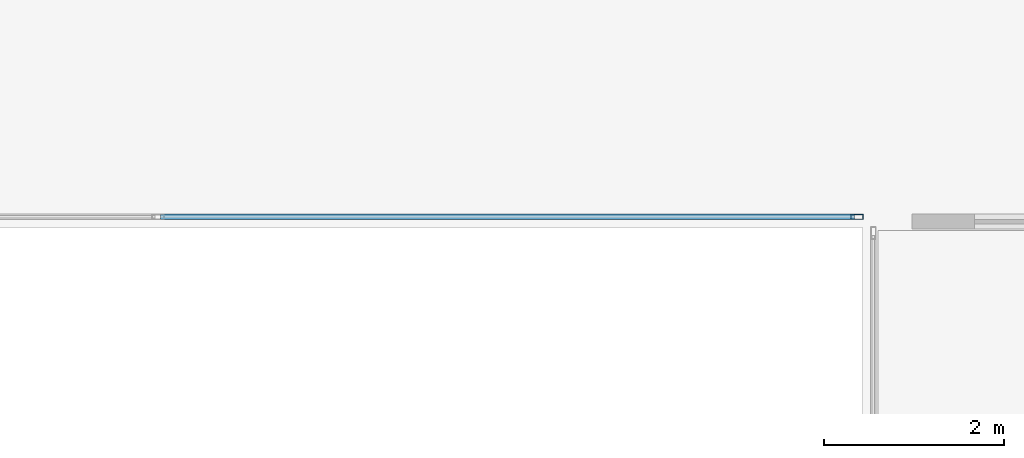
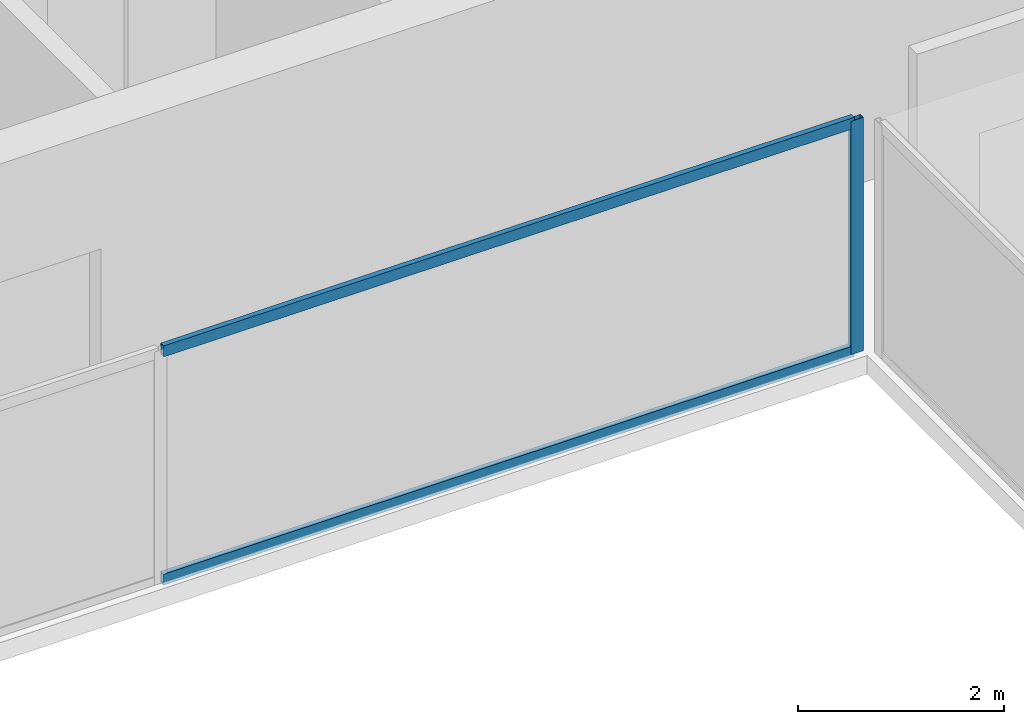
# One storey, part 11 of 29: 3 members, 1 element without a shape of its own.
"""IFC4 building model written with IfcOpenShell, lengths in metres."""

from ifc_helpers import new_model, si_unit, direction, frame, origin, origin_2d, place, context, subcontext, project, spatial, hollow_rectangle, extrude, source, transform, mapped, material, layer, layer_set, material_profile, profile_set, type_object, element, aggregate, save


model = new_model("IFC4")

# Units and contexts
model_context = context("Model", 3, precision=1e-05, world=origin(), true_north=direction((0.0, 1.0)))
body_context = subcontext(model_context, "Body", "Model", "MODEL_VIEW")
ifc_project = project(units=[si_unit("LENGTHUNIT", "METRE"), si_unit("AREAUNIT", "SQUARE_METRE"), si_unit("VOLUMEUNIT", "CUBIC_METRE"), si_unit("PLANEANGLEUNIT", "RADIAN"), si_unit("MASSUNIT", "GRAM", prefix="KILO")], contexts=[model_context])

# Site, building, storey
site_placement = place(None, origin())
site = spatial("IfcSite", under=ifc_project, at=site_placement, CompositionType="ELEMENT")
building_placement = place(site_placement, origin())
building = spatial("IfcBuilding", under=site, at=building_placement, Name="Sumidabori Civic Tower", CompositionType="ELEMENT")
storey_placement = place(building_placement, frame((0.0, 0.0, 218.0)))
storey = spatial("IfcBuildingStorey", under=building, at=storey_placement, Name="L56", CompositionType="ELEMENT", Elevation=218.0)

# Curtain wall, members
ifc_material = material(Name="Anodised Bronze Aluminium AW-6063-T6", Category="aluminium")
ifc_layer = layer(ifc_material, 0.179931640625, Name="Anodised Bronze Aluminium AW-6063-T6")
ifc_layer_set = layer_set([ifc_layer], Name="Anodised Bronze Aluminium AW-6063-T6")
curtain_wall_type = type_object("IfcCurtainWallType", Name="CW-SYS-4", PredefinedType="NOTDEFINED", material=ifc_layer_set)
curtain_wall_placement = place(storey_placement, origin())
curtain_wall = element("IfcCurtainWall", 1, at=curtain_wall_placement, inside=storey, type_object=curtain_wall_type, Name="Curtain Wall CW:L56:R05", PredefinedType="NOTDEFINED")
ifc_material_profile_1 = material_profile(ifc_material, hollow_rectangle(XDim=0.06005859375, YDim=0.139892578125, WallThickness=0.0048828125, at=origin_2d()), Name="ALU MULLION 140x60")
ifc_profile_set_1 = profile_set([ifc_material_profile_1], Name="Anodised Bronze Aluminium AW-6063-T6")
member_type_1 = type_object("IfcMemberType", Name="CW-MUL-140", PredefinedType="MULLION", material=ifc_profile_set_1)
shared_shape_1 = source(origin(), body_context, "Body", "SweptSolid", [
    extrude(hollow_rectangle(XDim=0.06005859375, YDim=0.139892578125, WallThickness=0.0048828125, at=origin_2d()), origin(), (0.0, 0.0, 1.0), 2.760009765625),
])
member_1_placement = place(storey_placement, frame((7.7900390625, 7.52001953125, 0.0), z_axis=(0.0, 0.0, 1.0), x_axis=(0.0, 1.0, 0.0)))
member_1 = element("IfcMember", 2, at=member_1_placement, type_object=member_type_1, Name="CW-4 mullion 3", PredefinedType="MULLION", context=body_context, shape_type="MappedRepresentation", body=[
    mapped(shared_shape_1, transform((0.0, 0.0, 0.0), x_axis=(1.0, 0.0, 0.0), y_axis=(0.0, 1.0, 0.0), z_axis=(0.0, 0.0, 1.0), scale=1.0)),
])
ifc_material_profile_2 = material_profile(ifc_material, hollow_rectangle(XDim=0.06005859375, YDim=0.1298828125, WallThickness=0.0048828125, at=origin_2d()), Name="ALU TRANSOM 130x60")
ifc_profile_set_2 = profile_set([ifc_material_profile_2], Name="Anodised Bronze Aluminium AW-6063-T6")
member_type_2 = type_object("IfcMemberType", Name="CW-TRN-130", PredefinedType="USERDEFINED", material=ifc_profile_set_2)
shared_shape_2 = source(origin(), body_context, "Body", "SweptSolid", [
    extrude(hollow_rectangle(XDim=0.06005859375, YDim=0.1298828125, WallThickness=0.0048828125, at=origin_2d()), origin(), (0.0, 0.0, 1.0), 7.72998046875),
])
member_2_placement = place(storey_placement, frame((0.030029296875, 7.52001953125, 0.030029296875), z_axis=(1.0, 0.0, 0.0), x_axis=(0.0, 1.0, 0.0)))
member_2 = element("IfcMember", 3, at=member_2_placement, type_object=member_type_2, Name="CW-4 transom 2.1", ObjectType="TRANSOM", PredefinedType="USERDEFINED", context=body_context, shape_type="MappedRepresentation", body=[
    mapped(shared_shape_2, transform((0.0, 0.0, 0.0), x_axis=(1.0, 0.0, 0.0), y_axis=(0.0, 1.0, 0.0), z_axis=(0.0, 0.0, 1.0), scale=1.0)),
])
member_3_placement = place(storey_placement, frame((0.030029296875, 7.52001953125, 2.72998046875), z_axis=(1.0, 0.0, 0.0), x_axis=(0.0, 1.0, 0.0)))
member_3 = element("IfcMember", 4, at=member_3_placement, type_object=member_type_2, Name="CW-4 transom 2.2", ObjectType="TRANSOM", PredefinedType="USERDEFINED", context=body_context, shape_type="MappedRepresentation", body=[
    mapped(shared_shape_2, transform((0.0, 0.0, 0.0), x_axis=(1.0, 0.0, 0.0), y_axis=(0.0, 1.0, 0.0), z_axis=(0.0, 0.0, 1.0), scale=1.0)),
])
aggregate(curtain_wall, [member_1, member_2, member_3])

save(model, "model.ifc")
